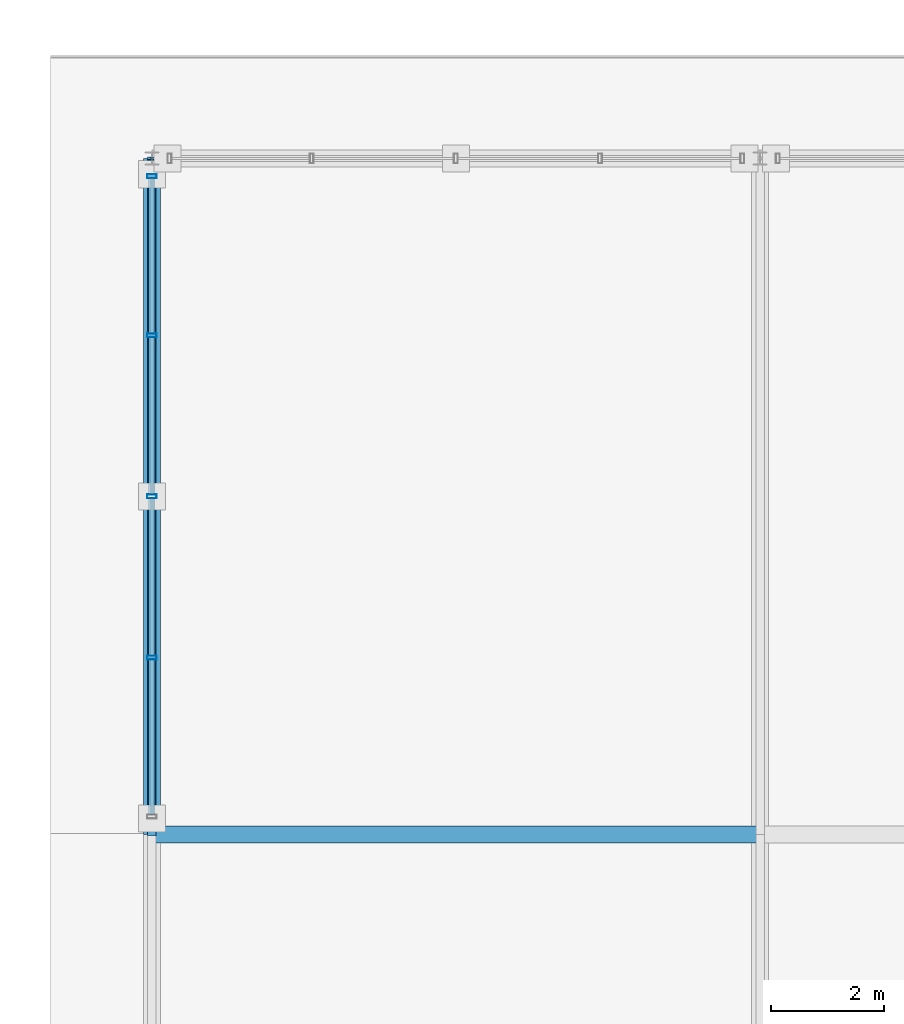
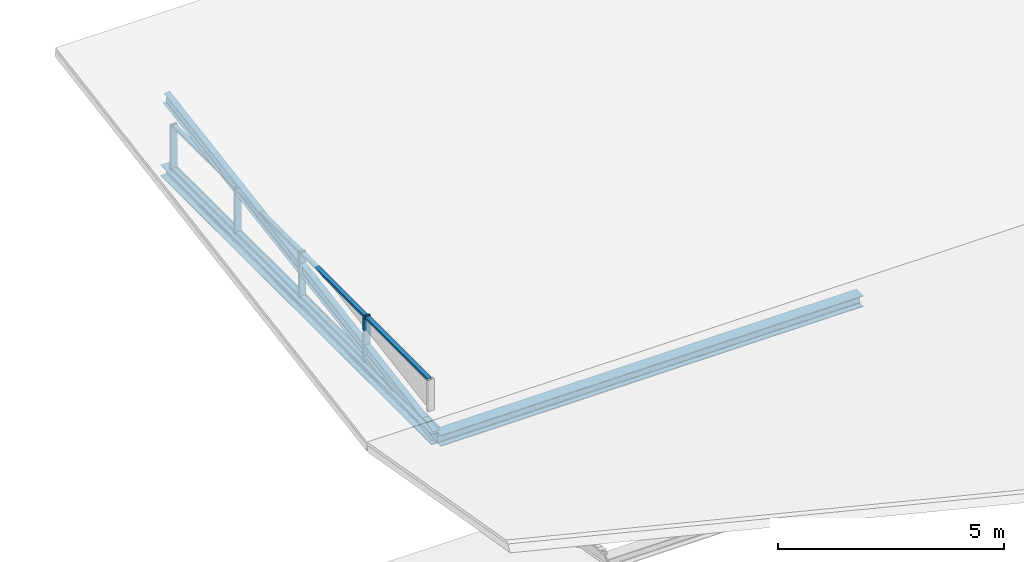
# One storey, part 82 of 117: 13 members, 2 beams, 1 element without a shape of its own.
"""IFC4 building model written with IfcOpenShell, lengths in metres."""

from ifc_helpers import new_model, si_unit, direction, frame, origin, origin_2d, place, context, subcontext, project, spatial, hollow_rectangle, i_section, extrude, material, material_profile, profile_set, type_object, element, aggregate, save


model = new_model("IFC4")

# Units and contexts
model_context = context("Model", 3, precision=1e-05, world=origin(), true_north=direction((0.0, 1.0)))
body_context = subcontext(model_context, "Body", "Model", "MODEL_VIEW")
ifc_project = project(units=[si_unit("LENGTHUNIT", "METRE"), si_unit("AREAUNIT", "SQUARE_METRE"), si_unit("VOLUMEUNIT", "CUBIC_METRE"), si_unit("PLANEANGLEUNIT", "RADIAN"), si_unit("MASSUNIT", "GRAM", prefix="KILO")], contexts=[model_context])

# Site, building, storey
site_placement = place(None, origin())
site = spatial("IfcSite", under=ifc_project, at=site_placement, CompositionType="ELEMENT")
building_placement = place(site_placement, origin())
building = spatial("IfcBuilding", under=site, at=building_placement, Name="Merenkruunu Market Hall", CompositionType="ELEMENT")
storey_placement = place(building_placement, frame((0.0, 0.0, 10.199951171875)))
storey = spatial("IfcBuildingStorey", under=building, at=storey_placement, Name="L02", CompositionType="ELEMENT", Elevation=10.199951171875)

# Curtain wall, members
ifc_material_1 = material(Name="Powder-coated aluminium", Category="aluminium")
curtain_wall_type = type_object("IfcCurtainWallType", Name="Clerestory Curtain Band CL03", PredefinedType="USERDEFINED", material=ifc_material_1)
curtain_wall_placement = place(storey_placement, origin())
curtain_wall = element("IfcCurtainWall", 1, at=curtain_wall_placement, inside=storey, type_object=curtain_wall_type, Name="CW-L02-CWM04-234", ObjectType="CLERESTORY_BAND", PredefinedType="USERDEFINED")
ifc_material_profile_1 = material_profile(ifc_material_1, hollow_rectangle(XDim=0.070068359375, YDim=0.169921875, WallThickness=0.0048828125, at=origin_2d()), Name="ALU 70x170x5")
ifc_profile_set_1 = profile_set([ifc_material_profile_1], Name="Powder-coated aluminium")
member_type_1 = type_object("IfcMemberType", Name="Curtain Wall Mullion CWM04", PredefinedType="MULLION", material=ifc_profile_set_1)
member_1_placement = place(storey_placement, frame((148.800048828125, 54.739990234375, 0.02001953125), z_axis=(0.0, 0.0, 1.0), x_axis=(0.0, 1.0, 0.0)))
member_1 = element("IfcMember", 2, at=member_1_placement, type_object=member_type_1, Name="CL03 mullion 2", PredefinedType="MULLION", context=body_context, shape_type="SweptSolid", body=[
    extrude(hollow_rectangle(XDim=0.070068359375, YDim=0.169921875, WallThickness=0.0048828125, at=origin_2d()), origin(), (0.0, 0.0, 1.0), 1.22998046875),
])
member_2_placement = place(storey_placement, frame((148.800048828125, 57.60009765625, 0.02001953125), z_axis=(0.0, 0.0, 1.0), x_axis=(0.0, 1.0, 0.0)))
member_2 = element("IfcMember", 3, at=member_2_placement, type_object=member_type_1, Name="CL03 mullion 3", PredefinedType="MULLION", context=body_context, shape_type="SweptSolid", body=[
    extrude(hollow_rectangle(XDim=0.070068359375, YDim=0.169921875, WallThickness=0.0048828125, at=origin_2d()), origin(), (0.0, 0.0, 1.0), 1.22998046875),
])
member_3_placement = place(storey_placement, frame((148.800048828125, 60.4599609375, 0.02001953125), z_axis=(0.0, 0.0, 1.0), x_axis=(0.0, 1.0, 0.0)))
member_3 = element("IfcMember", 4, at=member_3_placement, type_object=member_type_1, Name="CL03 mullion 4", PredefinedType="MULLION", context=body_context, shape_type="SweptSolid", body=[
    extrude(hollow_rectangle(XDim=0.070068359375, YDim=0.169921875, WallThickness=0.0048828125, at=origin_2d()), origin(), (0.0, 0.0, 1.0), 1.22998046875),
])
member_4_placement = place(storey_placement, frame((148.800048828125, 63.284912109375, 0.02001953125), z_axis=(0.0, 0.0, 1.0), x_axis=(0.0, 1.0, 0.0)))
member_4 = element("IfcMember", 5, at=member_4_placement, type_object=member_type_1, Name="CL03 mullion 5", PredefinedType="MULLION", context=body_context, shape_type="SweptSolid", body=[
    extrude(hollow_rectangle(XDim=0.070068359375, YDim=0.169921875, WallThickness=0.0048828125, at=origin_2d()), origin(), (0.0, 0.0, 1.0), 1.22998046875),
])
ifc_material_profile_2 = material_profile(ifc_material_1, hollow_rectangle(XDim=0.06005859375, YDim=0.110107421875, WallThickness=0.00390625, at=origin_2d()), Name="ALU 60x110x4")
ifc_profile_set_2 = profile_set([ifc_material_profile_2], Name="Powder-coated aluminium")
member_type_2 = type_object("IfcMemberType", Name="Curtain Wall Transom CWT03", PredefinedType="USERDEFINED", material=ifc_profile_set_2)
member_5_placement = place(storey_placement, frame((148.800048828125, 51.949951171875, 0.050048828125), z_axis=(0.0, 1.0, 0.0), x_axis=(0.0, 0.0, 1.0)))
member_5 = element("IfcMember", 6, at=member_5_placement, type_object=member_type_2, Name="CL03 transom 1.1", ObjectType="TRANSOM", PredefinedType="USERDEFINED", context=body_context, shape_type="SweptSolid", body=[
    extrude(hollow_rectangle(XDim=0.06005859375, YDim=0.110107421875, WallThickness=0.00390625, at=origin_2d()), origin(), (0.0, 0.0, 1.0), 2.755126953125),
])
member_6_placement = place(storey_placement, frame((148.800048828125, 51.949951171875, 1.219970703125), z_axis=(0.0, 1.0, 0.0), x_axis=(0.0, 0.0, 1.0)))
member_6 = element("IfcMember", 7, at=member_6_placement, type_object=member_type_2, Name="CL03 transom 1.2", ObjectType="TRANSOM", PredefinedType="USERDEFINED", context=body_context, shape_type="SweptSolid", body=[
    extrude(hollow_rectangle(XDim=0.06005859375, YDim=0.110107421875, WallThickness=0.00390625, at=origin_2d()), origin(), (0.0, 0.0, 1.0), 2.755126953125),
])
member_7_placement = place(storey_placement, frame((148.800048828125, 54.77490234375, 0.050048828125), z_axis=(0.0, 1.0, 0.0), x_axis=(0.0, 0.0, 1.0)))
member_7 = element("IfcMember", 8, at=member_7_placement, type_object=member_type_2, Name="CL03 transom 2.1", ObjectType="TRANSOM", PredefinedType="USERDEFINED", context=body_context, shape_type="SweptSolid", body=[
    extrude(hollow_rectangle(XDim=0.06005859375, YDim=0.110107421875, WallThickness=0.00390625, at=origin_2d()), origin(), (0.0, 0.0, 1.0), 2.7900390625),
])
member_8_placement = place(storey_placement, frame((148.800048828125, 54.77490234375, 1.219970703125), z_axis=(0.0, 1.0, 0.0), x_axis=(0.0, 0.0, 1.0)))
member_8 = element("IfcMember", 9, at=member_8_placement, type_object=member_type_2, Name="CL03 transom 2.2", ObjectType="TRANSOM", PredefinedType="USERDEFINED", context=body_context, shape_type="SweptSolid", body=[
    extrude(hollow_rectangle(XDim=0.06005859375, YDim=0.110107421875, WallThickness=0.00390625, at=origin_2d()), origin(), (0.0, 0.0, 1.0), 2.7900390625),
])
member_9_placement = place(storey_placement, frame((148.800048828125, 57.635009765625, 0.050048828125), z_axis=(0.0, 1.0, 0.0), x_axis=(0.0, 0.0, 1.0)))
member_9 = element("IfcMember", 10, at=member_9_placement, type_object=member_type_2, Name="CL03 transom 3.1", ObjectType="TRANSOM", PredefinedType="USERDEFINED", context=body_context, shape_type="SweptSolid", body=[
    extrude(hollow_rectangle(XDim=0.06005859375, YDim=0.110107421875, WallThickness=0.00390625, at=origin_2d()), origin(), (0.0, 0.0, 1.0), 2.7900390625),
])
member_10_placement = place(storey_placement, frame((148.800048828125, 57.635009765625, 1.219970703125), z_axis=(0.0, 1.0, 0.0), x_axis=(0.0, 0.0, 1.0)))
member_10 = element("IfcMember", 11, at=member_10_placement, type_object=member_type_2, Name="CL03 transom 3.2", ObjectType="TRANSOM", PredefinedType="USERDEFINED", context=body_context, shape_type="SweptSolid", body=[
    extrude(hollow_rectangle(XDim=0.06005859375, YDim=0.110107421875, WallThickness=0.00390625, at=origin_2d()), origin(), (0.0, 0.0, 1.0), 2.7900390625),
])
member_11_placement = place(storey_placement, frame((148.800048828125, 60.4951171875, 0.050048828125), z_axis=(0.0, 1.0, 0.0), x_axis=(0.0, 0.0, 1.0)))
member_11 = element("IfcMember", 12, at=member_11_placement, type_object=member_type_2, Name="CL03 transom 4.1", ObjectType="TRANSOM", PredefinedType="USERDEFINED", context=body_context, shape_type="SweptSolid", body=[
    extrude(hollow_rectangle(XDim=0.06005859375, YDim=0.110107421875, WallThickness=0.00390625, at=origin_2d()), origin(), (0.0, 0.0, 1.0), 2.7548828125),
])
member_12_placement = place(storey_placement, frame((148.800048828125, 60.4951171875, 1.219970703125), z_axis=(0.0, 1.0, 0.0), x_axis=(0.0, 0.0, 1.0)))
member_12 = element("IfcMember", 13, at=member_12_placement, type_object=member_type_2, Name="CL03 transom 4.2", ObjectType="TRANSOM", PredefinedType="USERDEFINED", context=body_context, shape_type="SweptSolid", body=[
    extrude(hollow_rectangle(XDim=0.06005859375, YDim=0.110107421875, WallThickness=0.00390625, at=origin_2d()), origin(), (0.0, 0.0, 1.0), 2.7548828125),
])
aggregate(curtain_wall, [member_1, member_2, member_3, member_4, member_5, member_6, member_7, member_8, member_9, member_10, member_11, member_12])

# Beams
ifc_material_2 = material(Name="Steel S355J2", Category="steel")
ifc_material_profile_3 = material_profile(ifc_material_2, i_section(OverallWidth=0.300048828125, OverallDepth=0.300048828125, WebThickness=0.010986328125, FlangeThickness=0.01904296875, FilletRadius=0.027099609375, at=origin_2d()), Name="HEB 300")
ifc_profile_set_3 = profile_set([ifc_material_profile_3], Name="Steel S355J2")
beam_type = type_object("IfcBeamType", Name="Primary Floor Girder B05", PredefinedType="BEAM", material=ifc_profile_set_3)
beam_1_placement = place(storey_placement, frame((148.800048828125, 51.60009765625, -0.14990234375), z_axis=(1.0, 0.0, 0.0), x_axis=(0.0, 1.0, 0.0)))
element("IfcBeam", 14, at=beam_1_placement, inside=storey, type_object=beam_type, Name="BM-L02-B05-1043", PredefinedType="BEAM", context=body_context, shape_type="SweptSolid", body=[
    extrude(i_section(OverallWidth=0.300048828125, OverallDepth=0.300048828125, WebThickness=0.010986328125, FlangeThickness=0.01904296875, FilletRadius=0.027099609375, at=origin_2d()), origin(), (0.0, 0.0, 1.0), 10.800048828125),
])
beam_2_placement = place(storey_placement, frame((148.800048828125, 51.60009765625, -0.14990234375), z_axis=(0.0, 1.0, 0.0), x_axis=(-1.0, 0.0, 0.0)))
element("IfcBeam", 15, at=beam_2_placement, inside=storey, type_object=beam_type, Name="BM-L02-B05-1055", PredefinedType="BEAM", context=body_context, shape_type="SweptSolid", body=[
    extrude(i_section(OverallWidth=0.300048828125, OverallDepth=0.300048828125, WebThickness=0.010986328125, FlangeThickness=0.01904296875, FilletRadius=0.027099609375, at=origin_2d()), origin(), (0.0, 0.0, 1.0), 12.0),
])

# Member
ifc_material_3 = material(Name="Steel S355ML", Category="steel")
ifc_material_profile_4 = material_profile(ifc_material_3, i_section(OverallWidth=0.14990234375, OverallDepth=0.300048828125, WebThickness=0.007080078125, FlangeThickness=0.0107421875, FilletRadius=0.014892578125, at=origin_2d()), Name="IPE 300")
ifc_profile_set_4 = profile_set([ifc_material_profile_4], Name="Steel S355ML")
member_type_3 = type_object("IfcMemberType", Name="Roof Purlin Rafter PR01", PredefinedType="PURLIN", material=ifc_profile_set_4)
member_13_placement = place(storey_placement, frame((148.800048828125, 51.60009765625, -0.159912109375), z_axis=(0.0, 0.987183410417, 0.159589831119), x_axis=(-1.0, 0.0, 0.0)))
element("IfcMember", 16, at=member_13_placement, inside=storey, type_object=member_type_3, Name="MEM-V3BF-RN-149", PredefinedType="PURLIN", context=body_context, shape_type="SweptSolid", body=[
    extrude(i_section(OverallWidth=0.14990234375, OverallDepth=0.300048828125, WebThickness=0.007080078125, FlangeThickness=0.0107421875, FilletRadius=0.014892578125, at=origin_2d()), origin(), (0.0, 0.0, 1.0), 12.15576171875),
])

save(model, "model.ifc")
